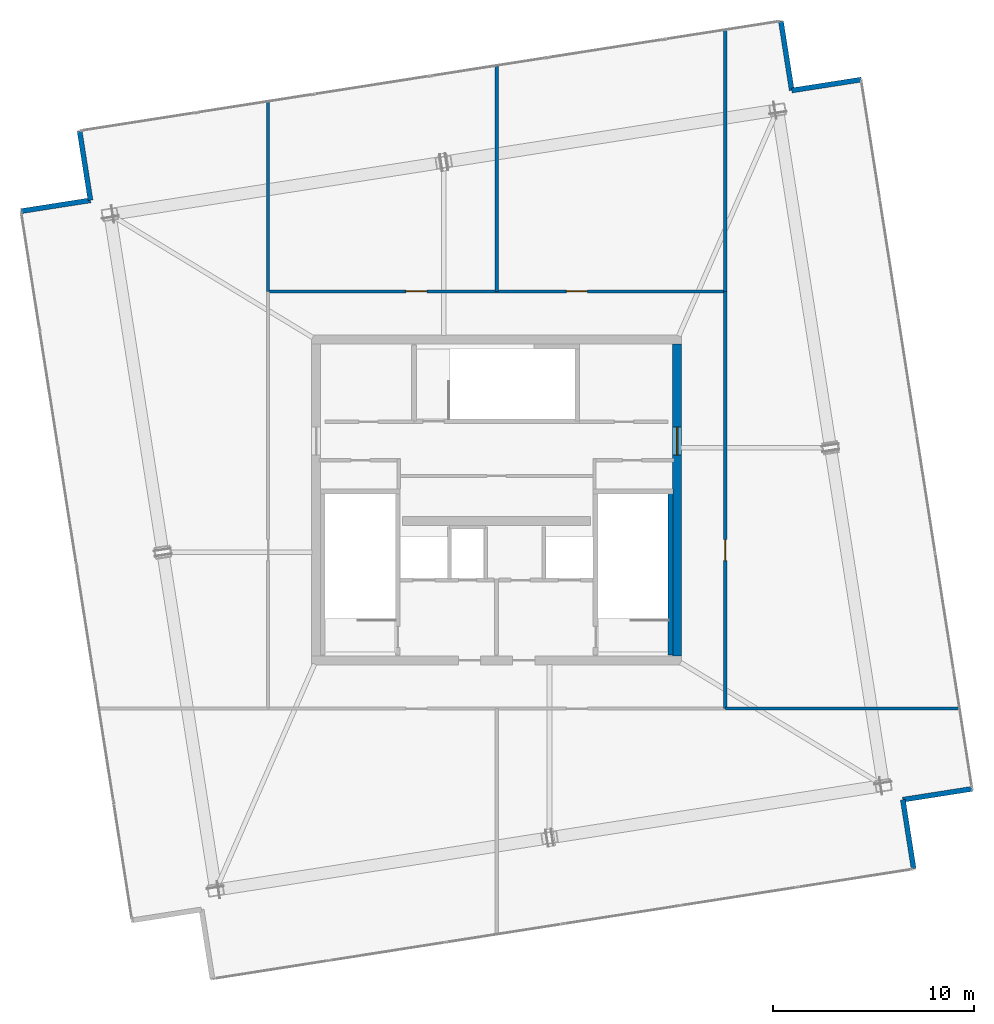
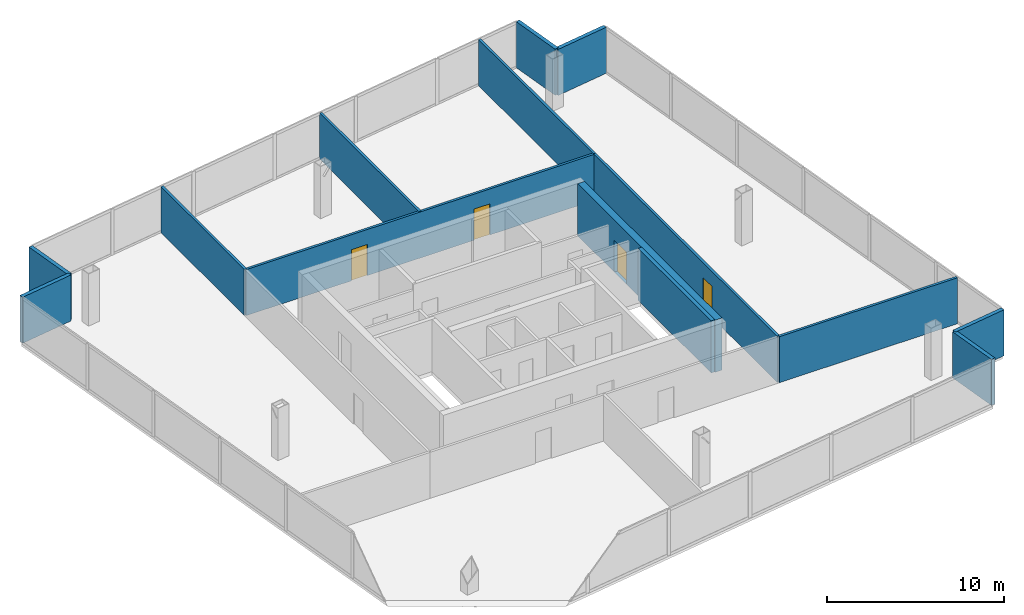
# One storey, part 16 of 17: 14 walls, 4 doors, 4 openings.
"""IFC4 building model written with IfcOpenShell, lengths in metres."""

from ifc_helpers import new_model, si_unit, direction, frame, frame_2d, origin, place, context, subcontext, project, spatial, rectangle, extrude, material, layer, layer_set, type_object, element, fill, save


model = new_model("IFC4")

# Units and contexts
model_context = context("Model", 3, precision=1e-05, world=origin(), true_north=direction((0.0, 1.0)))
body_context = subcontext(model_context, "Body", "Model", "MODEL_VIEW")
ifc_project = project(units=[si_unit("LENGTHUNIT", "METRE"), si_unit("AREAUNIT", "SQUARE_METRE"), si_unit("VOLUMEUNIT", "CUBIC_METRE"), si_unit("PLANEANGLEUNIT", "RADIAN"), si_unit("MASSUNIT", "GRAM", prefix="KILO")], contexts=[model_context])

# Site, building, storey
site_placement = place(None, origin())
site = spatial("IfcSite", under=ifc_project, at=site_placement, CompositionType="ELEMENT")
building_placement = place(site_placement, origin())
building = spatial("IfcBuilding", under=site, at=building_placement, Name="Haldenkirk Collegiate Tower", CompositionType="ELEMENT")
storey_placement = place(building_placement, frame((0.0, 0.0, 371.39990234375)))
storey = spatial("IfcBuildingStorey", under=building, at=storey_placement, Name="L94", CompositionType="ELEMENT", Elevation=371.39990234375)

# Wall, opening, door
ifc_material_1 = material(Name="Concrete f'c 55 MPa", Category="concrete")
ifc_layer_1 = layer(ifc_material_1, 0.449951171875)
ifc_layer_set_1 = layer_set([ifc_layer_1], Name="Concrete f'c 55 MPa")
wall_type_1 = type_object("IfcWallType", Name="WL-CORE-450", PredefinedType="SHEAR", material=ifc_layer_set_1)
wall_1_placement = place(storey_placement, frame((45.0, 18.22509765625, 0.0), z_axis=(0.0, 0.0, 1.0), x_axis=(0.0, 1.0, 0.0)))
wall_1 = element("IfcWall", 1, at=wall_1_placement, inside=storey, type_object=wall_type_1, Name="L94 central core shear wall E", PredefinedType="SHEAR", context=body_context, shape_type="SweptSolid", body=[
    extrude(rectangle(XDim=15.5498046875, YDim=0.449951171875, at=frame_2d((7.77490234375, 0.0))), origin(), (0.0, 0.0, 1.0), 3.60009765625),
])
opening_1_placement = place(wall_1_placement, frame((10.014892578125, 0.0, 0.0)))
opening_1 = element("IfcOpeningElement", 2, at=opening_1_placement, cuts=wall_1, Name="Opening D-03", PredefinedType="OPENING", context=body_context, shape_type="SweptSolid", body=[
    extrude(rectangle(XDim=1.39990234375, YDim=2.199951171875, at=frame_2d((0.699951171875, 1.10009765625))), frame((0.0, 0.23486328125, 0.0), z_axis=(0.0, -1.0, 0.0), x_axis=(1.0, 0.0, 0.0)), (0.0, 0.0, 1.0), 0.469970703125),
])
ifc_material_2 = material(Name="Galvanized fire-rated hollow steel door", Category="steel")
ifc_layer_2 = layer(ifc_material_2, 0.06005859375)
ifc_layer_set_2 = layer_set([ifc_layer_2], Name="Galvanized fire-rated hollow steel door")
door_type_1 = type_object("IfcDoorType", Name="DR-LOBBY-FD90-1400", OperationType="NOTDEFINED", PredefinedType="DOOR", material=ifc_layer_set_2)
door_1_placement = place(opening_1_placement, origin())
door_1 = element("IfcDoor", 3, at=door_1_placement, inside=storey, type_object=door_type_1, Name="L94 east lift lobby portal", OperationType="DOUBLE_DOOR_SINGLE_SWING", OverallHeight=2.199951171875, OverallWidth=1.39990234375, PredefinedType="DOOR", context=body_context, shape_type="SweptSolid", body=[
    extrude(rectangle(XDim=1.39990234375, YDim=2.199951171875, at=frame_2d((0.699951171875, 1.10009765625))), frame((0.0, 0.02490234375, 0.0), z_axis=(0.0, -1.0, 0.0), x_axis=(1.0, 0.0, 0.0)), (0.0, 0.0, 1.0), 0.050048828125),
])
fill(opening_1, door_1)

# Walls
ifc_material_3 = material(Name="Precast concrete f'c 40 MPa", Category="concrete")
ifc_layer_3 = layer(ifc_material_3, 0.25)
ifc_layer_set_3 = layer_set([ifc_layer_3], Name="Precast concrete f'c 40 MPa")
wall_type_2 = type_object("IfcWallType", Name="WL-EXT-CRN-250", PredefinedType="STANDARD", material=ifc_layer_set_3)
for number, where, z_axis, x_axis, name in (
    (4, (50.717529296875, 46.4228515625, 0.0), (0.0, 0.0, 1.0), (0.987958443543, 0.154719468176, 0.0), "L94 crown bronze precast enclosure wall 02"),
    (5, (50.176025390625, 49.880615234375, 0.0), (0.0, 0.0, 1.0), (0.154719468176, -0.987958443543, 0.0), "L94 crown bronze precast enclosure wall 03"),
):
    element("IfcWall", number, at=place(storey_placement, frame(where, z_axis=z_axis, x_axis=x_axis)), inside=storey, type_object=wall_type_2, Name=name, PredefinedType="STANDARD", context=body_context, shape_type="SweptSolid", body=[
        extrude(rectangle(XDim=3.5, YDim=0.25, at=frame_2d((1.75, 0.0))), origin(), (0.0, 0.0, 1.0), 3.18017578125),
    ])
for number, where, z_axis, x_axis, name in (
    (6, (15.743896484375, 40.946044921875, 0.0), (0.0, 0.0, 1.0), (-0.154708806205, 0.987960113204, 0.0), "L94 crown bronze precast enclosure wall 05"),
    (7, (12.285888671875, 40.404541015625, 0.0), (0.0, 0.0, 1.0), (0.987960113204, 0.154708806205, 0.0), "L94 crown bronze precast enclosure wall 06"),
    (8, (56.256103515625, 11.053955078125, 0.0), (0.0, 0.0, 1.0), (0.154708806205, -0.987960113204, 0.0), "L94 crown bronze precast enclosure wall 11"),
    (9, (59.714111328125, 11.595458984375, 0.0), (0.0, 0.0, 1.0), (-0.987960113204, -0.154708806205, 0.0), "L94 crown bronze precast enclosure wall 12"),
):
    element("IfcWall", number, at=place(storey_placement, frame(where, z_axis=z_axis, x_axis=x_axis)), inside=storey, type_object=wall_type_2, Name=name, PredefinedType="STANDARD", context=body_context, shape_type="SweptSolid", body=[
        extrude(rectangle(XDim=3.500244140625, YDim=0.25, at=frame_2d((1.75, 0.0))), origin(), (0.0, 0.0, 1.0), 3.18017578125),
    ])

# Wall, openings, doors
ifc_material_4 = material(Name="Acoustic fire-rated gypsum partition", Category="concrete")
ifc_layer_4 = layer(ifc_material_4, 0.159912109375)
ifc_layer_set_4 = layer_set([ifc_layer_4], Name="Acoustic fire-rated gypsum partition")
wall_type_3 = type_object("IfcWallType", Name="WL-INT-CORR-160", PredefinedType="PARTITIONING", material=ifc_layer_set_4)
wall_2_placement = place(storey_placement, frame((24.60009765625, 36.39990234375, 0.0), z_axis=(0.0, 0.0, 1.0), x_axis=(1.0, 0.0, 0.0)))
wall_2 = element("IfcWall", 10, at=wall_2_placement, inside=storey, type_object=wall_type_3, Name="L94 interior partition IW-L94-CN", PredefinedType="PARTITIONING", context=body_context, shape_type="SweptSolid", body=[
    extrude(rectangle(XDim=22.7998046875, YDim=0.159912109375, at=frame_2d((11.39990234375, 0.0))), origin(), (0.0, 0.0, 1.0), 3.18017578125),
])
opening_2_placement = place(wall_2_placement, frame((6.875, 0.0, 0.0)))
opening_2 = element("IfcOpeningElement", 11, at=opening_2_placement, cuts=wall_2, Name="Opening D-09", PredefinedType="OPENING", context=body_context, shape_type="SweptSolid", body=[
    extrude(rectangle(XDim=1.050048828125, YDim=2.14990234375, at=frame_2d((0.52490234375, 1.074951171875))), frame((0.0, 0.08984375, 0.0), z_axis=(0.0, -1.0, 0.0), x_axis=(1.0, 0.0, 0.0)), (0.0, 0.0, 1.0), 0.179931640625),
])
opening_3_placement = place(wall_2_placement, frame((14.875, 0.0, 0.0)))
opening_3 = element("IfcOpeningElement", 12, at=opening_3_placement, cuts=wall_2, Name="Opening D-09", PredefinedType="OPENING", context=body_context, shape_type="SweptSolid", body=[
    extrude(rectangle(XDim=1.050048828125, YDim=2.14990234375, at=frame_2d((0.52490234375, 1.074951171875))), frame((0.0, 0.08984375, 0.0), z_axis=(0.0, -1.0, 0.0), x_axis=(1.0, 0.0, 0.0)), (0.0, 0.0, 1.0), 0.179931640625),
])
ifc_material_5 = material(Name="Solid-core architectural oak fire door", Category="wood")
ifc_layer_5 = layer(ifc_material_5, 0.06005859375)
ifc_layer_set_5 = layer_set([ifc_layer_5], Name="Solid-core architectural oak fire door")
door_type_2 = type_object("IfcDoorType", Name="DR-INT-FD60-1050", OperationType="NOTDEFINED", PredefinedType="DOOR", material=ifc_layer_set_5)
door_2_placement = place(opening_2_placement, origin())
door_2 = element("IfcDoor", 13, at=door_2_placement, inside=storey, type_object=door_type_2, Name="L94 crown NW plant door", OperationType="SINGLE_SWING_RIGHT", OverallHeight=2.14990234375, OverallWidth=1.050048828125, PredefinedType="DOOR", context=body_context, shape_type="SweptSolid", body=[
    extrude(rectangle(XDim=1.050048828125, YDim=2.14990234375, at=frame_2d((0.52490234375, 1.074951171875))), frame((0.0, 0.02490234375, 0.0), z_axis=(0.0, -1.0, 0.0), x_axis=(1.0, 0.0, 0.0)), (0.0, 0.0, 1.0), 0.050048828125),
])
fill(opening_2, door_2)
door_3_placement = place(opening_3_placement, origin())
door_3 = element("IfcDoor", 14, at=door_3_placement, inside=storey, type_object=door_type_2, Name="L94 crown NE plant door", OperationType="SINGLE_SWING_LEFT", OverallHeight=2.14990234375, OverallWidth=1.050048828125, PredefinedType="DOOR", context=body_context, shape_type="SweptSolid", body=[
    extrude(rectangle(XDim=1.050048828125, YDim=2.14990234375, at=frame_2d((0.52490234375, 1.074951171875))), frame((0.0, 0.02490234375, 0.0), z_axis=(0.0, -1.0, 0.0), x_axis=(1.0, 0.0, 0.0)), (0.0, 0.0, 1.0), 0.050048828125),
])
fill(opening_3, door_3)

# Wall, opening, door
wall_3_placement = place(storey_placement, frame((47.39990234375, 15.60009765625, 0.0), z_axis=(0.0, 0.0, 1.0), x_axis=(0.0, 1.0, 0.0)))
wall_3 = element("IfcWall", 15, at=wall_3_placement, inside=storey, type_object=wall_type_3, Name="L94 interior partition IW-L94-CE", PredefinedType="PARTITIONING", context=body_context, shape_type="SweptSolid", body=[
    extrude(rectangle(XDim=20.7998046875, YDim=0.159912109375, at=frame_2d((10.39990234375, 0.0))), origin(), (0.0, 0.0, 1.0), 3.18017578125),
])
opening_4_placement = place(wall_3_placement, frame((7.375, 0.0, 0.0)))
opening_4 = element("IfcOpeningElement", 16, at=opening_4_placement, cuts=wall_3, Name="Opening D-09", PredefinedType="OPENING", context=body_context, shape_type="SweptSolid", body=[
    extrude(rectangle(XDim=1.050048828125, YDim=2.14990234375, at=frame_2d((0.52490234375, 1.074951171875))), frame((0.0, 0.08984375, 0.0), z_axis=(0.0, -1.0, 0.0), x_axis=(1.0, 0.0, 0.0)), (0.0, 0.0, 1.0), 0.179931640625),
])
door_4_placement = place(opening_4_placement, origin())
door_4 = element("IfcDoor", 17, at=door_4_placement, inside=storey, type_object=door_type_2, Name="L94 crown E plant door", OperationType="SINGLE_SWING_LEFT", OverallHeight=2.14990234375, OverallWidth=1.050048828125, PredefinedType="DOOR", context=body_context, shape_type="SweptSolid", body=[
    extrude(rectangle(XDim=1.050048828125, YDim=2.14990234375, at=frame_2d((0.52490234375, 1.074951171875))), frame((0.0, 0.02490234375, 0.0), z_axis=(0.0, -1.0, 0.0), x_axis=(1.0, 0.0, 0.0)), (0.0, 0.0, 1.0), 0.050048828125),
])
fill(opening_4, door_4)

# Walls
wall_4_placement = place(storey_placement, frame((36.0, 36.39990234375, 0.0), z_axis=(0.0, 0.0, 1.0), x_axis=(0.0, 1.0, 0.0)))
element("IfcWall", 18, at=wall_4_placement, inside=storey, type_object=wall_type_3, Name="L94 interior partition IW-L94-D2", PredefinedType="PARTITIONING", context=body_context, shape_type="SweptSolid", body=[
    extrude(rectangle(XDim=11.220458984375, YDim=0.159912109375, at=frame_2d((5.6103515625, 0.0))), origin(), (0.0, 0.0, 1.0), 3.18017578125),
])
wall_5_placement = place(storey_placement, frame((47.39990234375, 15.60009765625, 0.0), z_axis=(0.0, 0.0, 1.0), x_axis=(1.0, 0.0, 0.0)))
element("IfcWall", 19, at=wall_5_placement, inside=storey, type_object=wall_type_3, Name="L94 interior partition IW-L94-D4", PredefinedType="PARTITIONING", context=body_context, shape_type="SweptSolid", body=[
    extrude(rectangle(XDim=11.646484375, YDim=0.159912109375, at=frame_2d((5.8232421875, 0.0))), origin(), (0.0, 0.0, 1.0), 3.18017578125),
])
wall_6_placement = place(storey_placement, frame((24.60009765625, 36.39990234375, 0.0), z_axis=(0.0, 0.0, 1.0), x_axis=(0.0, 1.0, 0.0)))
element("IfcWall", 20, at=wall_6_placement, inside=storey, type_object=wall_type_3, Name="L94 interior partition IW-L94-D5", PredefinedType="PARTITIONING", context=body_context, shape_type="SweptSolid", body=[
    extrude(rectangle(XDim=9.435302734375, YDim=0.159912109375, at=frame_2d((4.7177734375, 0.0))), origin(), (0.0, 0.0, 1.0), 3.18017578125),
])
wall_7_placement = place(storey_placement, frame((47.39990234375, 36.39990234375, 0.0), z_axis=(0.0, 0.0, 1.0), x_axis=(0.0, 1.0, 0.0)))
element("IfcWall", 21, at=wall_7_placement, inside=storey, type_object=wall_type_3, Name="L94 interior partition IW-L94-D6", PredefinedType="PARTITIONING", context=body_context, shape_type="SweptSolid", body=[
    extrude(rectangle(XDim=13.005615234375, YDim=0.159912109375, at=frame_2d((6.5029296875, 0.0))), origin(), (0.0, 0.0, 1.0), 3.18017578125),
])
ifc_layer_6 = layer(ifc_material_1, 0.239990234375)
ifc_layer_set_6 = layer_set([ifc_layer_6], Name="Concrete f'c 55 MPa")
wall_type_4 = type_object("IfcWallType", Name="WL-SHAFT-240", PredefinedType="SHEAR", material=ifc_layer_set_6)
wall_8_placement = place(storey_placement, frame((44.669921875, 18.280029296875, 0.0), z_axis=(0.0, 0.0, 1.0), x_axis=(0.0, 1.0, 0.0)))
element("IfcWall", 22, at=wall_8_placement, inside=storey, type_object=wall_type_4, Name="L94 stair shaft shear wall SW-L94-ST2E", PredefinedType="SHEAR", context=body_context, shape_type="SweptSolid", body=[
    extrude(rectangle(XDim=8.260009765625, YDim=0.239990234375, at=frame_2d((4.1298828125, 0.0))), origin(), (0.0, 0.0, 1.0), 3.60009765625),
])

save(model, "model.ifc")
